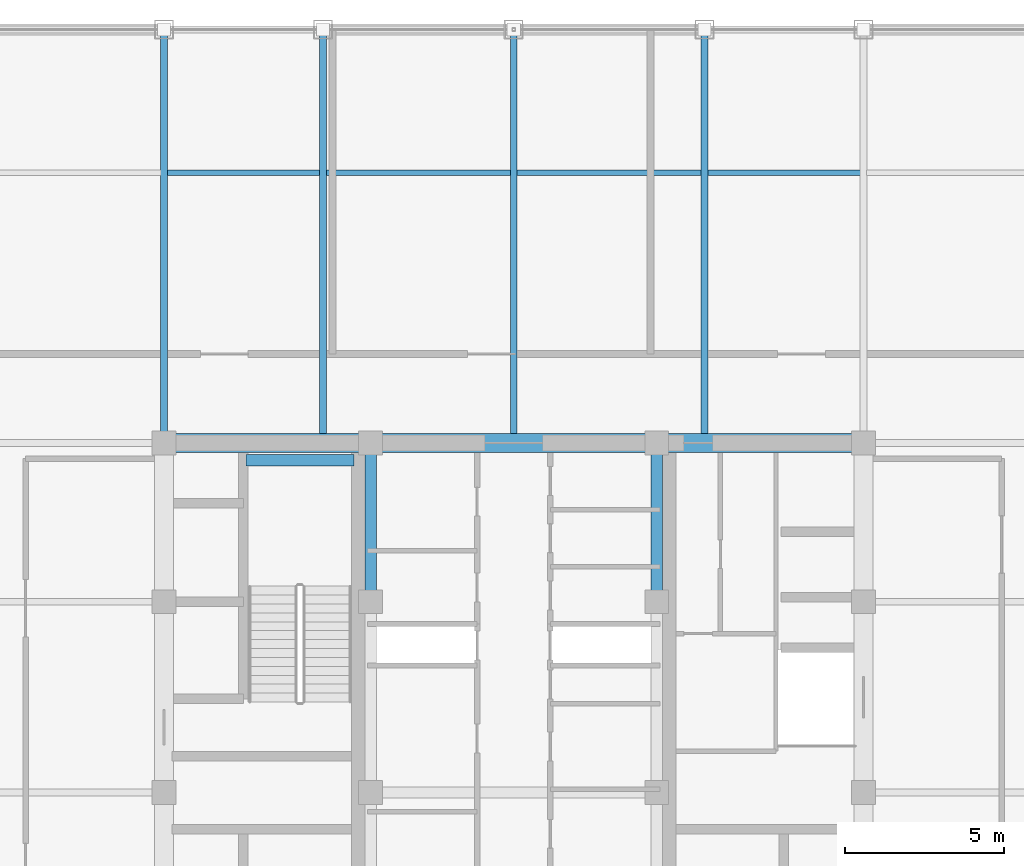
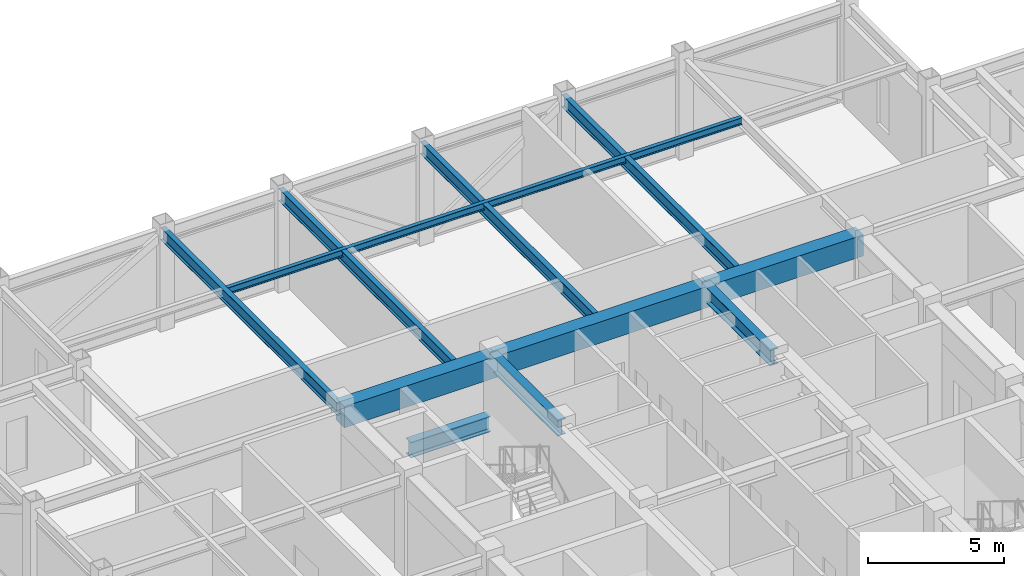
# One storey, part 15 of 27: 11 beams.
"""IFC4 building model written with IfcOpenShell, lengths in metres."""

import ifcopenshell
import ifcopenshell.guid

model = None  # the IFC model being written
_history = None  # IfcOwnerHistory: only IFC2X3 demands one
_inside = {}  # id of a spatial element -> (the spatial element, [elements in it])
_under = {}  # id of a project, library or spatial element -> (it, [spatial elements below it])
_declared = {}  # id of a project -> (the project, [libraries it declares])
_typed = {}  # id of a type object -> (the type object, [elements of that type])
_made_of = {}  # id of a material, layer set ... -> (it, [elements and type objects made of it])


def new_model(schema):
    """Start an empty IFC model of exactly this schema.

    Asked for "IFC4X3", IfcOpenShell would pick the latest addendum, in which some entities
    have other attributes; the version numbers below select the first issue.
    IFC2X3 requires an IfcOwnerHistory on every rooted entity: one is made here for all.
    """
    global model, _history
    if schema == "IFC4X3":
        model = ifcopenshell.file(schema_version=(4, 3, 0, 0))
    else:
        model = ifcopenshell.file(schema=schema)
    _inside.clear()
    _under.clear()
    _declared.clear()
    _typed.clear()
    _made_of.clear()
    _history = None
    if model.schema == "IFC2X3":
        org = make("IfcOrganization", Name="unknown")
        user = make(
            "IfcPersonAndOrganization",
            ThePerson=make("IfcPerson", FamilyName="unknown"),
            TheOrganization=org,
        )
        app = make(
            "IfcApplication",
            ApplicationDeveloper=org,
            Version="unknown",
            ApplicationFullName="unknown",
            ApplicationIdentifier="unknown",
        )
        _history = make(
            "IfcOwnerHistory",
            OwningUser=user,
            OwningApplication=app,
            ChangeAction="ADDED",
            CreationDate=0,
        )
    return model


def make(cls, **values):
    """One entity of the class cls with the attributes given. An attribute that is None is left unset."""
    return model.create_entity(
        cls, **{name: value for name, value in values.items() if value is not None}
    )


def rooted(cls, **values):
    """An entity with a GlobalId (a new one), such as an element, a storey or a relation."""
    return make(cls, GlobalId=ifcopenshell.guid.new(), OwnerHistory=_history, **values)


def si_unit(unit_type, name, prefix=None):
    """IfcSIUnit, for example si_unit("LENGTHUNIT", "METRE", prefix="MILLI")."""
    return make("IfcSIUnit", UnitType=unit_type, Prefix=prefix, Name=name)


def assignment(units):
    """IfcUnitAssignment: the units of a project."""
    return None if units is None else make("IfcUnitAssignment", Units=units)


def point(xyz):
    """IfcCartesianPoint."""
    return None if xyz is None else make("IfcCartesianPoint", Coordinates=xyz)


def direction(xyz):
    """IfcDirection."""
    return None if xyz is None else make("IfcDirection", DirectionRatios=xyz)


def frame(location, z_axis=None, x_axis=None):
    """IfcAxis2Placement3D, a coordinate frame: its origin and axes. An axis left out is left unset."""
    return make(
        "IfcAxis2Placement3D",
        Location=point(location),
        Axis=direction(z_axis),
        RefDirection=direction(x_axis),
    )


def frame_2d(location, x_axis=None):
    """IfcAxis2Placement2D, a coordinate frame in the plane: its origin and x axis."""
    return make(
        "IfcAxis2Placement2D", Location=point(location), RefDirection=direction(x_axis)
    )


def origin():
    """The frame at (0, 0, 0) with its axes left unset."""
    return frame((0.0, 0.0, 0.0))


def origin_2d():
    """The frame at (0, 0) in the plane with its x axis left unset."""
    return frame_2d((0.0, 0.0))


def place(relative_to, where):
    """IfcLocalPlacement: puts the frame where relative to a parent placement (None: the world)."""
    return make(
        "IfcLocalPlacement", PlacementRelTo=relative_to, RelativePlacement=where
    )


def context(
    kind, dimensions, precision=None, world=None, true_north=None, identifier=None
):
    """IfcGeometricRepresentationContext, for example the 3D "Model" context."""
    return make(
        "IfcGeometricRepresentationContext",
        ContextIdentifier=identifier,
        ContextType=kind,
        CoordinateSpaceDimension=dimensions,
        Precision=precision,
        WorldCoordinateSystem=world,
        TrueNorth=true_north,
    )


def subcontext(parent, identifier, kind, view, scale=None):
    """IfcGeometricRepresentationSubContext, for example "Body" below "Model"."""
    return make(
        "IfcGeometricRepresentationSubContext",
        ContextIdentifier=identifier,
        ContextType=kind,
        ParentContext=parent,
        TargetScale=scale,
        TargetView=view,
    )


def project(units=None, contexts=None):
    """IfcProject with its units and contexts."""
    return rooted(
        "IfcProject",
        Name="project",
        RepresentationContexts=contexts,
        UnitsInContext=assignment(units),
    )


def spatial(cls, under=None, at=None, **own):
    """A site, building, storey or space (cls), placed at a placement, below another one or the project."""
    s = rooted(cls, ObjectPlacement=at, **own)
    if under is not None:
        _under.setdefault(under.id(), (under, []))[1].append(s)
    return s


def profile(cls, at=None, kind="AREA", **sizes):
    """A parametric profile (cls). Its sizes go by their IFC names, for example OverallWidth=200.0."""
    return make(cls, ProfileType=kind, Position=at, **sizes)


def rectangle(**sizes):
    """IfcRectangleProfileDef."""
    return profile("IfcRectangleProfileDef", **sizes)


def i_section(**sizes):
    """IfcIShapeProfileDef."""
    return profile("IfcIShapeProfileDef", **sizes)


def extrude(swept, where, along, depth):
    """IfcExtrudedAreaSolid: the profile swept, set in the frame where, extruded along a direction by depth."""
    return make(
        "IfcExtrudedAreaSolid",
        SweptArea=swept,
        Position=where,
        ExtrudedDirection=direction(along),
        Depth=depth,
    )


def shape(context_of_items, identifier, shape_type, items):
    """IfcShapeRepresentation: the items that make up one representation, for example the "Body"."""
    return make(
        "IfcShapeRepresentation",
        ContextOfItems=context_of_items,
        RepresentationIdentifier=identifier,
        RepresentationType=shape_type,
        Items=items,
    )


def source(mapping_origin, context_of_items, identifier, shape_type, items):
    """IfcRepresentationMap: a shape defined once, which mapped items show again and again."""
    return make(
        "IfcRepresentationMap",
        MappingOrigin=mapping_origin,
        MappedRepresentation=shape(context_of_items, identifier, shape_type, items),
    )


def transform(
    local_origin,
    x_axis=None,
    y_axis=None,
    z_axis=None,
    scale=None,
    scale2=None,
    scale3=None,
    uniform=True,
):
    """IfcCartesianTransformationOperator3D, or its non-uniform kind. x_axis, y_axis, z_axis: its Axis1, 2, 3."""
    if uniform:
        return make(
            "IfcCartesianTransformationOperator3D",
            Axis1=direction(x_axis),
            Axis2=direction(y_axis),
            LocalOrigin=point(local_origin),
            Scale=scale,
            Axis3=direction(z_axis),
        )
    return make(
        "IfcCartesianTransformationOperator3DnonUniform",
        Axis1=direction(x_axis),
        Axis2=direction(y_axis),
        LocalOrigin=point(local_origin),
        Scale=scale,
        Axis3=direction(z_axis),
        Scale2=scale2,
        Scale3=scale3,
    )


def mapped(mapping_source, mapping_target):
    """IfcMappedItem: shows the shape of a source again, moved by a transform."""
    return make(
        "IfcMappedItem", MappingSource=mapping_source, MappingTarget=mapping_target
    )


def material(Name=None, Category=None):
    """IfcMaterial."""
    return make("IfcMaterial", Name=Name, Category=Category)


def material_profile(
    of_material, cross_section, Name=None, Category=None, Priority=None
):
    """IfcMaterialProfile: a cross section and its material."""
    return make(
        "IfcMaterialProfile",
        Name=Name,
        Material=of_material,
        Profile=cross_section,
        Priority=Priority,
        Category=Category,
    )


def profile_set(profiles, Name=None, composite=None):
    """IfcMaterialProfileSet."""
    return make(
        "IfcMaterialProfileSet",
        Name=Name,
        MaterialProfiles=profiles,
        CompositeProfile=composite,
    )


def made_of(thing, what):
    """Note that an element or type object is made of a material, layer set ...; save() writes the relation."""
    if what is not None:
        _made_of.setdefault(what.id(), (what, []))[1].append(thing)
    return thing


def type_object(cls, material=None, **own):
    """A type object (cls), such as IfcWallType, which elements share."""
    return made_of(rooted(cls, **own), material)


def element(
    cls,
    number,
    at=None,
    inside=None,
    cuts=None,
    type_object=None,
    material=None,
    context=None,
    identifier="Body",
    shape_type=None,
    held_by="IfcProductDefinitionShape",
    body=None,
    shapes=None,
    **own,
):
    """One element of the class cls, such as IfcWall. Its Tag is "e" and its number.

    at: its placement. inside: the storey or other place that contains it. cuts: it is an
    opening in that element (IfcRelVoidsElement). A single representation is given by context,
    identifier, shape_type and body (its items); several are given by shapes. held_by: the class
    of the entity that holds the representations. save() writes the other relations.
    """
    e = rooted(cls, Tag="e%d" % number, ObjectPlacement=at, **own)
    if body is not None:
        shapes = [shape(context, identifier, shape_type, body)]
    if shapes is not None:
        e.Representation = make(held_by, Representations=shapes)
    if inside is not None:
        _inside.setdefault(inside.id(), (inside, []))[1].append(e)
    if cuts is not None:
        rooted(
            "IfcRelVoidsElement", RelatingBuildingElement=cuts, RelatedOpeningElement=e
        )
    if type_object is not None:
        _typed.setdefault(type_object.id(), (type_object, []))[1].append(e)
    return made_of(e, material)


def aggregate(whole, parts):
    """IfcRelAggregates: a whole, such as a stair, and the parts it consists of."""
    return rooted("IfcRelAggregates", RelatingObject=whole, RelatedObjects=parts)


def save(model, path):
    """Write the relations noted so far, then the file.

    IfcRelAggregates (storeys below a building ...), IfcRelContainedInSpatialStructure (elements
    in a storey), IfcRelDefinesByType, IfcRelAssociatesMaterial and IfcRelDeclares: one each for
    every whole, place, type object, material and project.
    """
    for whole, parts in _under.values():
        aggregate(whole, parts)
    for where, things in _inside.values():
        rooted(
            "IfcRelContainedInSpatialStructure",
            RelatedElements=things,
            RelatingStructure=where,
        )
    for kind, things in _typed.values():
        rooted("IfcRelDefinesByType", RelatedObjects=things, RelatingType=kind)
    for what, things in _made_of.values():
        rooted("IfcRelAssociatesMaterial", RelatedObjects=things, RelatingMaterial=what)
    for by, libraries in _declared.values():
        rooted("IfcRelDeclares", RelatingContext=by, RelatedDefinitions=libraries)
    model.write(path)


model = new_model("IFC4")

# Units and contexts
model_context = context("Model", 3, precision=1e-05, world=origin(), true_north=direction((0.0, 1.0)))
body_context = subcontext(model_context, "Body", "Model", "MODEL_VIEW")
ifc_project = project(units=[si_unit("LENGTHUNIT", "METRE"), si_unit("AREAUNIT", "SQUARE_METRE"), si_unit("VOLUMEUNIT", "CUBIC_METRE"), si_unit("PLANEANGLEUNIT", "RADIAN"), si_unit("MASSUNIT", "GRAM", prefix="KILO")], contexts=[model_context])

# Site, building, storey
site_placement = place(None, origin())
site = spatial("IfcSite", under=ifc_project, at=site_placement, CompositionType="ELEMENT")
building_placement = place(site_placement, origin())
building = spatial("IfcBuilding", under=site, at=building_placement, Name="Khorayat Bourse Tower", CompositionType="ELEMENT")
storey_placement = place(building_placement, frame((0.0, 0.0, 385.10009765625)))
storey = spatial("IfcBuildingStorey", under=building, at=storey_placement, Name="L91", CompositionType="ELEMENT", Elevation=385.10009765625)

# Beams
ifc_material_1 = material(Name="Steel ASTM A992 Grade 50", Category="steel")
ifc_material_profile_1 = material_profile(ifc_material_1, i_section(OverallWidth=0.35498046875, OverallDepth=0.695068359375, WebThickness=0.015380859375, FlangeThickness=0.02490234375, FilletRadius=0.01806640625, at=origin_2d()), Name="W690X217")
ifc_profile_set_1 = profile_set([ifc_material_profile_1], Name="Steel ASTM A992 Grade 50")
beam_type_1 = type_object("IfcBeamType", Name="BM-GIRD-690", PredefinedType="BEAM", material=ifc_profile_set_1)
shared_shape_1 = source(origin(), body_context, "Body", "SweptSolid", [
    extrude(i_section(OverallWidth=0.35498046875, OverallDepth=0.695068359375, WebThickness=0.015380859375, FlangeThickness=0.02490234375, FilletRadius=0.01806640625, at=origin_2d()), origin(), (0.0, 0.0, 1.0), 5.0),
])
for number, where, z_axis, x_axis, name in (
    (1, (-4.5, 6.0, 4.102294921875), (0.0, 1.0, 0.0), (-1.0, 0.0, 0.0), "L91 BM-GIRD-690 BM-L91-CRX-08"),
    (2, (4.5, 6.0, 4.102294921875), (0.0, 1.0, 0.0), (-1.0, 0.0, 0.0), "L91 BM-GIRD-690 BM-L91-CRX-12"),
):
    element("IfcBeam", number, at=place(storey_placement, frame(where, z_axis=z_axis, x_axis=x_axis)), inside=storey, type_object=beam_type_1, Name=name, PredefinedType="BEAM", context=body_context, shape_type="MappedRepresentation", body=[
        mapped(shared_shape_1, transform((0.0, 0.0, 0.0), scale=1.0)),
    ])
shared_shape_2 = source(origin(), body_context, "Body", "SweptSolid", [
    extrude(i_section(OverallWidth=0.35498046875, OverallDepth=0.695068359375, WebThickness=0.015380859375, FlangeThickness=0.02490234375, FilletRadius=0.01806640625, at=origin_2d()), origin(), (0.0, 0.0, 1.0), 3.39990234375),
])
beam_1_placement = place(storey_placement, frame((-8.419921875, 10.449951171875, 1.852294921875), z_axis=(1.0, 0.0, 0.0), x_axis=(0.0, 1.0, 0.0)))
element("IfcBeam", 3, at=beam_1_placement, inside=storey, type_object=beam_type_1, Name="L91 BM-GIRD-690 BM-L91-ST2L", PredefinedType="BEAM", context=body_context, shape_type="MappedRepresentation", body=[
    mapped(shared_shape_2, transform((0.0, 0.0, 0.0), scale=1.0)),
])
ifc_material_2 = material(Name="Concrete C60/75", Category="concrete")
ifc_material_profile_2 = material_profile(ifc_material_2, rectangle(XDim=0.60009765625, YDim=0.949951171875, at=origin_2d()), Name="RC 600x950")
ifc_profile_set_2 = profile_set([ifc_material_profile_2], Name="Concrete C60/75")
beam_type_2 = type_object("IfcBeamType", Name="BM-COUP-950", PredefinedType="BEAM", material=ifc_profile_set_2)
shared_shape_3 = source(origin(), body_context, "Body", "SweptSolid", [
    extrude(rectangle(XDim=0.60009765625, YDim=0.949951171875, at=origin_2d()), origin(), (0.0, 0.0, 1.0), 6.5),
])
for number, where, z_axis, x_axis, name in (
    (4, (-11.0, 11.0, 3.974853515625), (1.0, 0.0, 0.0), (0.0, 1.0, 0.0), "L91 BM-COUP-950 BM-L91-CRY-20"),
    (5, (4.5, 11.0, 3.974853515625), (1.0, 0.0, 0.0), (0.0, 1.0, 0.0), "L91 BM-COUP-950 BM-L91-CRY-22"),
):
    element("IfcBeam", number, at=place(storey_placement, frame(where, z_axis=z_axis, x_axis=x_axis)), inside=storey, type_object=beam_type_2, Name=name, PredefinedType="BEAM", context=body_context, shape_type="MappedRepresentation", body=[
        mapped(shared_shape_3, transform((0.0, 0.0, 0.0), scale=1.0)),
    ])
shared_shape_4 = source(origin(), body_context, "Body", "SweptSolid", [
    extrude(rectangle(XDim=0.60009765625, YDim=0.949951171875, at=origin_2d()), origin(), (0.0, 0.0, 1.0), 9.0),
])
beam_2_placement = place(storey_placement, frame((-4.5, 11.0, 3.974853515625), z_axis=(1.0, 0.0, 0.0), x_axis=(0.0, 1.0, 0.0)))
element("IfcBeam", 6, at=beam_2_placement, inside=storey, type_object=beam_type_2, Name="L91 BM-COUP-950 BM-L91-CRY-21", PredefinedType="BEAM", context=body_context, shape_type="MappedRepresentation", body=[
    mapped(shared_shape_4, transform((0.0, 0.0, 0.0), scale=1.0)),
])
ifc_material_profile_3 = material_profile(ifc_material_1, i_section(OverallWidth=0.214111328125, OverallDepth=0.549072265625, WebThickness=0.0146484375, FlangeThickness=0.023681640625, FilletRadius=0.013916015625, at=origin_2d()), Name="W530X138")
ifc_profile_set_3 = profile_set([ifc_material_profile_3], Name="Steel ASTM A992 Grade 50")
beam_type_3 = type_object("IfcBeamType", Name="BM-GIRD-530", PredefinedType="BEAM", material=ifc_profile_set_3)
shared_shape_5 = source(origin(), body_context, "Body", "SweptSolid", [
    extrude(i_section(OverallWidth=0.214111328125, OverallDepth=0.549072265625, WebThickness=0.0146484375, FlangeThickness=0.023681640625, FilletRadius=0.013916015625, at=origin_2d()), origin(), (0.0, 0.0, 1.0), 13.0),
])
for number, where, z_axis, x_axis, name in (
    (7, (-11.0, 11.0, 4.17529296875), (0.0, 1.0, 0.0), (-1.0, 0.0, 0.0), "L91 BM-GIRD-530 BM-L91-RADY-056"),
    (8, (-6.0, 11.0, 4.17529296875), (0.0, 1.0, 0.0), (-1.0, 0.0, 0.0), "L91 BM-GIRD-530 BM-L91-RADY-058"),
    (9, (0.0, 11.0, 4.17529296875), (0.0, 1.0, 0.0), (-1.0, 0.0, 0.0), "L91 BM-GIRD-530 BM-L91-RADY-060"),
    (10, (6.0, 11.0, 4.17529296875), (0.0, 1.0, 0.0), (-1.0, 0.0, 0.0), "L91 BM-GIRD-530 BM-L91-RADY-062"),
):
    element("IfcBeam", number, at=place(storey_placement, frame(where, z_axis=z_axis, x_axis=x_axis)), inside=storey, type_object=beam_type_3, Name=name, PredefinedType="BEAM", context=body_context, shape_type="MappedRepresentation", body=[
        mapped(shared_shape_5, transform((0.0, 0.0, 0.0), scale=1.0)),
    ])
ifc_material_profile_4 = material_profile(ifc_material_1, i_section(OverallWidth=0.1669921875, OverallDepth=0.31689453125, WebThickness=0.007568359375, FlangeThickness=0.01318359375, FilletRadius=0.010009765625, at=origin_2d()), Name="W310X52")
ifc_profile_set_4 = profile_set([ifc_material_profile_4], Name="Steel ASTM A992 Grade 50")
beam_type_4 = type_object("IfcBeamType", Name="BM-JOIST-310", PredefinedType="JOIST", material=ifc_profile_set_4)
shared_shape_6 = source(origin(), body_context, "Body", "SweptSolid", [
    extrude(i_section(OverallWidth=0.1669921875, OverallDepth=0.31689453125, WebThickness=0.007568359375, FlangeThickness=0.01318359375, FilletRadius=0.010009765625, at=origin_2d()), origin(), (0.0, 0.0, 1.0), 21.81005859375),
])
beam_3_placement = place(storey_placement, frame((-10.905029296875, 19.5, 4.29150390625), z_axis=(1.0, 0.0, 0.0), x_axis=(0.0, 1.0, 0.0)))
element("IfcBeam", 11, at=beam_3_placement, inside=storey, type_object=beam_type_4, Name="L91 BM-JOIST-310 BM-L91-JSTX-088", PredefinedType="JOIST", context=body_context, shape_type="MappedRepresentation", body=[
    mapped(shared_shape_6, transform((0.0, 0.0, 0.0), scale=1.0)),
])

save(model, "model.ifc")
